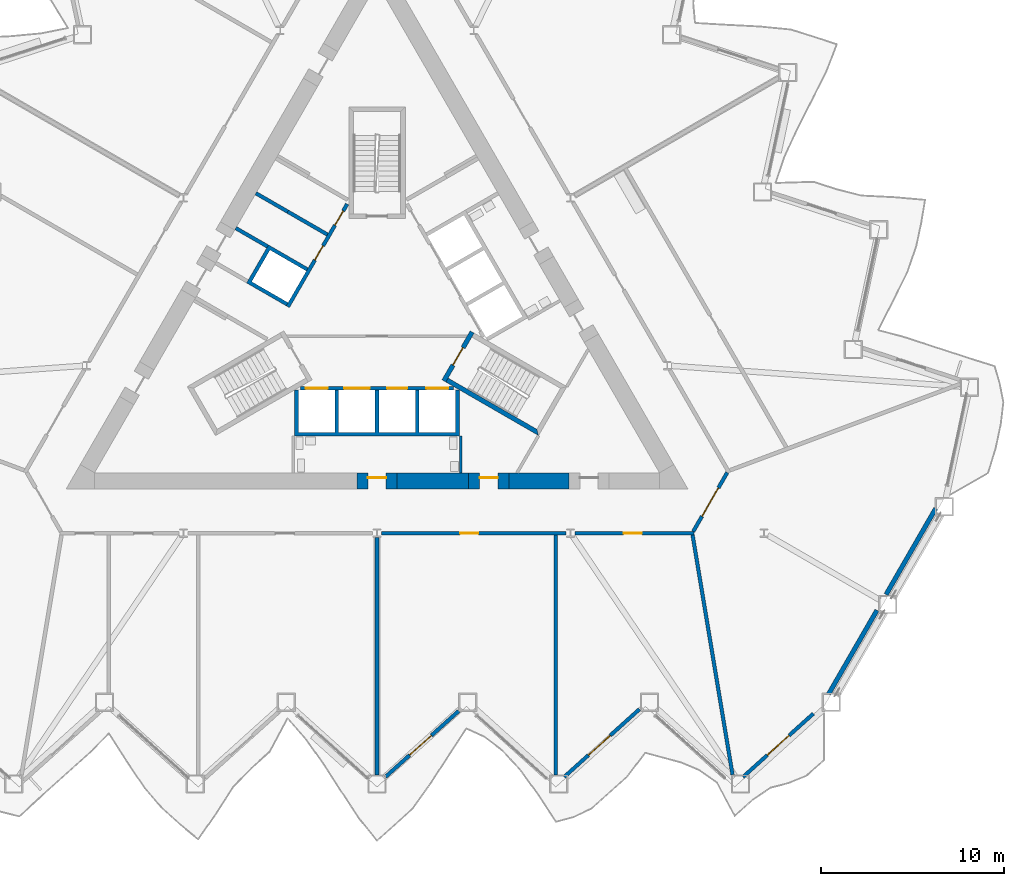
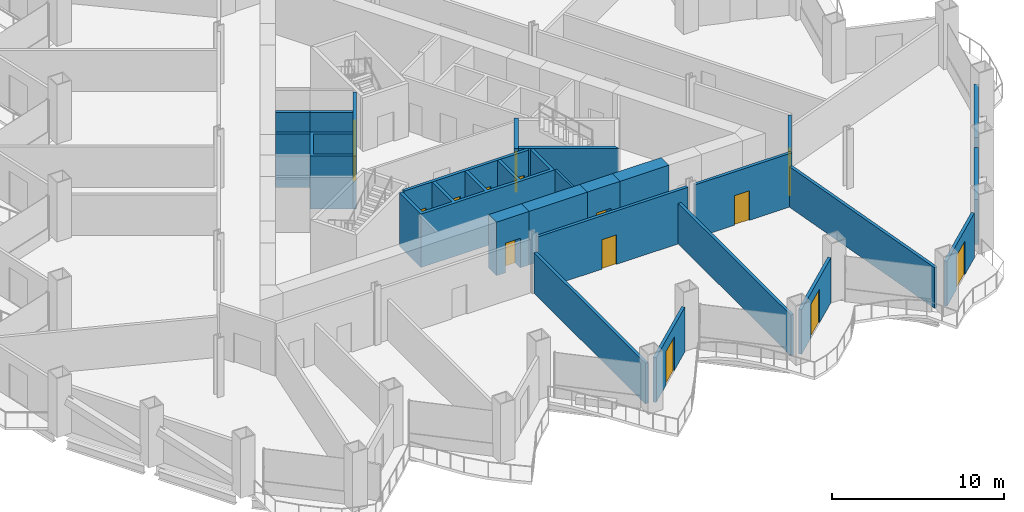
# One storey, part 10 of 20: 25 walls, 15 doors, 15 openings.
"""IFC4 building model written with IfcOpenShell, lengths in metres."""

from ifc_helpers import new_model, si_unit, direction, frame, frame_2d, origin, place, context, subcontext, project, spatial, polyline, rectangle, outline, extrude, material, layer, layer_set, type_object, element, fill, save


model = new_model("IFC4")

# Units and contexts
model_context = context("Model", 3, precision=1e-05, world=origin(), true_north=direction((0.0, 1.0)))
body_context = subcontext(model_context, "Body", "Model", "MODEL_VIEW")
ifc_project = project(units=[si_unit("LENGTHUNIT", "METRE"), si_unit("AREAUNIT", "SQUARE_METRE"), si_unit("VOLUMEUNIT", "CUBIC_METRE"), si_unit("PLANEANGLEUNIT", "RADIAN"), si_unit("MASSUNIT", "GRAM", prefix="KILO")], contexts=[model_context])

# Site, building, storey
site_placement = place(None, origin())
site = spatial("IfcSite", under=ifc_project, at=site_placement, CompositionType="ELEMENT")
building_placement = place(site_placement, origin())
building = spatial("IfcBuilding", under=site, at=building_placement, Name="Cormorant Prow Tower", CompositionType="ELEMENT")
storey_placement = place(building_placement, frame((0.0, 0.0, 59.39990234375)))
storey = spatial("IfcBuildingStorey", under=building, at=storey_placement, Name="L12", CompositionType="ELEMENT", Elevation=59.39990234375)

# Walls
ifc_material_1 = material(Name="Gypsum board partition")
ifc_layer_1 = layer(ifc_material_1, 0.14990234375)
ifc_layer_set_1 = layer_set([ifc_layer_1], Name="Gypsum board partition")
wall_type_1 = type_object("IfcWallType", Name="Core partition 150", PredefinedType="PARTITIONING", material=ifc_layer_set_1)
wall_1_placement = place(storey_placement, frame((4.574951171875, -6.906005859375, 0.0), z_axis=(0.0, 0.0, 1.0), x_axis=(0.0, -1.0, 0.0)))
element("IfcWall", 1, at=wall_1_placement, inside=storey, type_object=wall_type_1, Name="Service room partition", PredefinedType="PARTITIONING", context=body_context, shape_type="SweptSolid", body=[
    extrude(rectangle(XDim=2.009033203125, YDim=0.14990234375, at=frame_2d((1.00439453125, 0.0))), origin(), (0.0, 0.0, 1.0), 3.800048828125),
])
ifc_material_2 = material(Name="Concrete 8000 psi", Category="concrete")
ifc_layer_2 = layer(ifc_material_2, 0.89990234375)
ifc_layer_set_2 = layer_set([ifc_layer_2], Name="Concrete 8000 psi")
wall_type_2 = type_object("IfcWallType", Name="Core shear wall 900", PredefinedType="SHEAR", material=ifc_layer_set_2)
wall_2_placement = place(storey_placement, frame((1.10009765625, -9.364990234375, 0.0), z_axis=(0.0, 0.0, 1.0), x_axis=(1.0, 0.0, 0.0)))
element("IfcWall", 2, at=wall_2_placement, inside=storey, type_object=wall_type_2, Name="Core wall", PredefinedType="SHEAR", context=body_context, shape_type="SweptSolid", body=[
    extrude(rectangle(XDim=3.908935546875, YDim=0.89990234375, at=frame_2d((1.95458984375, 0.0))), origin(), (0.0, 0.0, 1.0), 3.800048828125),
])
wall_3_placement = place(storey_placement, frame((7.208984375, -9.364990234375, 0.0), z_axis=(0.0, 0.0, 1.0), x_axis=(1.0, 0.0, 0.0)))
element("IfcWall", 3, at=wall_3_placement, inside=storey, type_object=wall_type_2, Name="Core wall", PredefinedType="SHEAR", context=body_context, shape_type="SweptSolid", body=[
    extrude(rectangle(XDim=3.282470703125, YDim=0.89990234375, at=frame_2d((1.64111328125, 0.0))), origin(), (0.0, 0.0, 1.0), 3.800048828125),
])

# Wall, opening, door
wall_4_placement = place(storey_placement, frame((-1.10009765625, -9.364990234375, 0.0), z_axis=(0.0, 0.0, 1.0), x_axis=(1.0, 0.0, 0.0)))
wall_4 = element("IfcWall", 4, at=wall_4_placement, inside=storey, type_object=wall_type_2, Name="Core wall door panel", PredefinedType="SHEAR", context=body_context, shape_type="SweptSolid", body=[
    extrude(rectangle(XDim=2.2001953125, YDim=0.89990234375, at=frame_2d((1.10009765625, 0.0))), origin(), (0.0, 0.0, 1.0), 3.800048828125),
])
opening_1_placement = place(wall_4_placement, frame((0.60009765625, 0.0, 0.0)))
opening_1 = element("IfcOpeningElement", 5, at=opening_1_placement, cuts=wall_4, Name="Opening L12-C15", PredefinedType="OPENING", context=body_context, shape_type="SweptSolid", body=[
    extrude(rectangle(XDim=1.0, YDim=2.10009765625, at=frame_2d((0.5, 1.050048828125))), frame((0.0, 0.4599609375, 0.0), z_axis=(0.0, -1.0, 0.0), x_axis=(1.0, 0.0, 0.0)), (0.0, 0.0, 1.0), 0.919921875),
])
ifc_material_3 = material(Name="Painted steel", Category="steel")
door_type_1 = type_object("IfcDoorType", Name="Service door 1000x2100", OperationType="NOTDEFINED", PredefinedType="DOOR", material=ifc_material_3)
door_1_placement = place(opening_1_placement, origin())
door_1 = element("IfcDoor", 6, at=door_1_placement, inside=storey, type_object=door_type_1, Name="Core door, Toilets (women) L12", OperationType="SINGLE_SWING_LEFT", OverallHeight=2.10009765625, OverallWidth=1.0, PredefinedType="DOOR", context=body_context, shape_type="SweptSolid", body=[
    extrude(rectangle(XDim=1.0, YDim=2.10009765625, at=frame_2d((0.5, 1.050048828125))), frame((0.0, 0.205078125, 0.0), z_axis=(0.0, -1.0, 0.0), x_axis=(1.0, 0.0, 0.0)), (0.0, 0.0, 1.0), 0.050048828125),
])
fill(opening_1, door_1)

wall_5_placement = place(storey_placement, frame((5.009033203125, -9.364990234375, 0.0), z_axis=(0.0, 0.0, 1.0), x_axis=(1.0, 0.0, 0.0)))
wall_5 = element("IfcWall", 7, at=wall_5_placement, inside=storey, type_object=wall_type_2, Name="Core wall door panel", PredefinedType="SHEAR", context=body_context, shape_type="SweptSolid", body=[
    extrude(rectangle(XDim=2.199951171875, YDim=0.89990234375, at=frame_2d((1.10009765625, 0.0))), origin(), (0.0, 0.0, 1.0), 3.800048828125),
])
opening_2_placement = place(wall_5_placement, frame((0.60009765625, 0.0, 0.0)))
opening_2 = element("IfcOpeningElement", 8, at=opening_2_placement, cuts=wall_5, Name="Opening L12-C22", PredefinedType="OPENING", context=body_context, shape_type="SweptSolid", body=[
    extrude(rectangle(XDim=1.0, YDim=2.10009765625, at=frame_2d((0.5, 1.050048828125))), frame((0.0, 0.4599609375, 0.0), z_axis=(0.0, -1.0, 0.0), x_axis=(1.0, 0.0, 0.0)), (0.0, 0.0, 1.0), 0.919921875),
])
door_2_placement = place(opening_2_placement, origin())
door_2 = element("IfcDoor", 9, at=door_2_placement, inside=storey, type_object=door_type_1, Name="Core door, Mechanical riser room", OperationType="SINGLE_SWING_LEFT", OverallHeight=2.10009765625, OverallWidth=1.0, PredefinedType="DOOR", context=body_context, shape_type="SweptSolid", body=[
    extrude(rectangle(XDim=1.0, YDim=2.10009765625, at=frame_2d((0.5, 1.050048828125))), frame((0.0, 0.205078125, 0.0), z_axis=(0.0, -1.0, 0.0), x_axis=(1.0, 0.0, 0.0)), (0.0, 0.0, 1.0), 0.050048828125),
])
fill(opening_2, door_2)

ifc_material_4 = material(Name="Gypsum board corridor wall")
ifc_layer_3 = layer(ifc_material_4, 0.199951171875)
ifc_layer_set_3 = layer_set([ifc_layer_3], Name="Gypsum board corridor wall")
wall_type_3 = type_object("IfcWallType", Name="Corridor wall 200", PredefinedType="PARTITIONING", material=ifc_layer_set_3)
wall_6_placement = place(storey_placement, frame((0.2421875, -12.215087890625, 0.0), z_axis=(0.0, 0.0, 1.0), x_axis=(1.0, 0.0, 0.0)))
wall_6 = element("IfcWall", 10, at=wall_6_placement, inside=storey, type_object=wall_type_3, Name="Corridor wall", PredefinedType="PARTITIONING", context=body_context, shape_type="SweptSolid", body=[
    extrude(rectangle(XDim=10.093994140625, YDim=0.199951171875, at=frame_2d((5.046875, 0.0))), origin(), (0.0, 0.0, 1.0), 3.800048828125),
])
opening_3_placement = place(wall_6_placement, frame((4.294189453125, 0.0, 0.0)))
opening_3 = element("IfcOpeningElement", 11, at=opening_3_placement, cuts=wall_6, Name="Opening L12-F04", PredefinedType="OPENING", context=body_context, shape_type="SweptSolid", body=[
    extrude(rectangle(XDim=1.0, YDim=2.10009765625, at=frame_2d((0.5, 1.050048828125))), frame((0.0, 0.10986328125, 0.0), z_axis=(0.0, -1.0, 0.0), x_axis=(1.0, 0.0, 0.0)), (0.0, 0.0, 1.0), 0.219970703125),
])
ifc_material_5 = material(Name="Timber door leaf", Category="wood")
door_type_2 = type_object("IfcDoorType", Name="Office door 1000x2100", OperationType="NOTDEFINED", PredefinedType="DOOR", material=ifc_material_5)
door_3_placement = place(opening_3_placement, origin())
door_3 = element("IfcDoor", 12, at=door_3_placement, inside=storey, type_object=door_type_2, Name="Open-plan office door", OperationType="SINGLE_SWING_RIGHT", OverallHeight=2.10009765625, OverallWidth=1.0, PredefinedType="DOOR", context=body_context, shape_type="SweptSolid", body=[
    extrude(rectangle(XDim=1.0, YDim=2.10009765625, at=frame_2d((0.5, 1.050048828125))), frame((0.0, 0.02490234375, 0.0), z_axis=(0.0, -1.0, 0.0), x_axis=(1.0, 0.0, 0.0)), (0.0, 0.0, 1.0), 0.050048828125),
])
fill(opening_3, door_3)

wall_7_placement = place(storey_placement, frame((10.82080078125, -12.215087890625, 0.0), z_axis=(0.0, 0.0, 1.0), x_axis=(1.0, 0.0, 0.0)))
wall_7 = element("IfcWall", 13, at=wall_7_placement, inside=storey, type_object=wall_type_3, Name="Corridor wall", PredefinedType="PARTITIONING", context=body_context, shape_type="SweptSolid", body=[
    extrude(rectangle(XDim=6.510009765625, YDim=0.199951171875, at=frame_2d((3.2548828125, 0.0))), origin(), (0.0, 0.0, 1.0), 3.800048828125),
])
opening_4_placement = place(wall_7_placement, frame((2.65478515625, 0.0, 0.0)))
opening_4 = element("IfcOpeningElement", 14, at=opening_4_placement, cuts=wall_7, Name="Opening L12-F05", PredefinedType="OPENING", context=body_context, shape_type="SweptSolid", body=[
    extrude(rectangle(XDim=1.0, YDim=2.10009765625, at=frame_2d((0.5, 1.050048828125))), frame((0.0, 0.10986328125, 0.0), z_axis=(0.0, -1.0, 0.0), x_axis=(1.0, 0.0, 0.0)), (0.0, 0.0, 1.0), 0.219970703125),
])
door_4_placement = place(opening_4_placement, origin())
door_4 = element("IfcDoor", 15, at=door_4_placement, inside=storey, type_object=door_type_2, Name="Tenant suite door", OperationType="SINGLE_SWING_RIGHT", OverallHeight=2.10009765625, OverallWidth=1.0, PredefinedType="DOOR", context=body_context, shape_type="SweptSolid", body=[
    extrude(rectangle(XDim=1.0, YDim=2.10009765625, at=frame_2d((0.5, 1.050048828125))), frame((0.0, 0.02490234375, 0.0), z_axis=(0.0, -1.0, 0.0), x_axis=(1.0, 0.0, 0.0)), (0.0, 0.0, 1.0), 0.050048828125),
])
fill(opening_4, door_4)

wall_8_placement = place(storey_placement, frame((17.281005859375, -12.12841796875, 0.0), z_axis=(0.0, 0.0, 1.0), x_axis=(0.499958791762, 0.866049194065, 0.0)))
wall_8 = element("IfcWall", 16, at=wall_8_placement, inside=storey, type_object=wall_type_3, Name="Corridor wall", PredefinedType="PARTITIONING", context=body_context, shape_type="SweptSolid", body=[
    extrude(rectangle(XDim=3.725830078125, YDim=0.199951171875, at=frame_2d((1.86279296875, 0.0))), origin(), (0.0, 0.0, 1.0), 3.800048828125),
])
opening_5_placement = place(wall_8_placement, frame((0.962890625, 0.0, 0.0)))
opening_5 = element("IfcOpeningElement", 17, at=opening_5_placement, cuts=wall_8, Name="Opening L12-F06", PredefinedType="OPENING", context=body_context, shape_type="SweptSolid", body=[
    extrude(rectangle(XDim=1.800048828125, YDim=2.10009765625, at=frame_2d((0.89990234375, 1.050048828125))), frame((0.0, 0.10986328125, 0.0), z_axis=(0.0, -1.0, 0.0), x_axis=(1.0, 0.0, 0.0)), (0.0, 0.0, 1.0), 0.219970703125),
])
ifc_material_6 = material(Name="Timber door leaf", Category="wood")
door_type_3 = type_object("IfcDoorType", Name="Double door 1800x2100", OperationType="DOUBLE_DOOR_SINGLE_SWING", PredefinedType="DOOR", material=ifc_material_6)
door_5_placement = place(opening_5_placement, origin())
door_5 = element("IfcDoor", 18, at=door_5_placement, inside=storey, type_object=door_type_3, Name="Open-plan office door", OperationType="DOUBLE_DOOR_SINGLE_SWING", OverallHeight=2.10009765625, OverallWidth=1.800048828125, PredefinedType="DOOR", context=body_context, shape_type="SweptSolid", body=[
    extrude(rectangle(XDim=1.800048828125, YDim=2.10009765625, at=frame_2d((0.89990234375, 1.050048828125))), frame((0.0, 0.02490234375, 0.0), z_axis=(0.0, -1.0, 0.0), x_axis=(1.0, 0.0, 0.0)), (0.0, 0.0, 1.0), 0.050048828125),
])
fill(opening_5, door_5)

# Walls
ifc_material_7 = material(Name="Gypsum board demising wall")
ifc_layer_4 = layer(ifc_material_7, 0.199951171875)
ifc_layer_set_4 = layer_set([ifc_layer_4], Name="Gypsum board demising wall")
wall_type_4 = type_object("IfcWallType", Name="Demising wall 200", PredefinedType="PARTITIONING", material=ifc_layer_set_4)
wall_9_placement = place(storey_placement, frame((17.247314453125, -12.313720703125, 0.0), z_axis=(0.0, 0.0, 1.0), x_axis=(0.164396008001, -0.986394420378, 0.0)))
element("IfcWall", 19, at=wall_9_placement, inside=storey, type_object=wall_type_4, Name="Demising wall", PredefinedType="PARTITIONING", context=body_context, shape_type="SweptSolid", body=[
    extrude(rectangle(XDim=13.28857421875, YDim=0.199951171875, at=frame_2d((6.644287109375, 0.0))), origin(), (0.0, 0.0, 1.0), 2.885498046875),
])
wall_10_placement = place(storey_placement, frame((9.775390625, -25.42138671875, 0.0), z_axis=(0.0, 0.0, 1.0), x_axis=(0.0, 1.0, 0.0)))
element("IfcWall", 20, at=wall_10_placement, inside=storey, type_object=wall_type_4, Name="Demising wall", PredefinedType="PARTITIONING", context=body_context, shape_type="SweptSolid", body=[
    extrude(rectangle(XDim=13.1064453125, YDim=0.199951171875, at=frame_2d((6.55322265625, 0.0))), origin(), (0.0, 0.0, 1.0), 2.885498046875),
])
wall_11_placement = place(storey_placement, frame((0.0, -25.42138671875, 0.0), z_axis=(0.0, 0.0, 1.0), x_axis=(0.0, 1.0, 0.0)))
element("IfcWall", 21, at=wall_11_placement, inside=storey, type_object=wall_type_4, Name="Demising wall", PredefinedType="PARTITIONING", context=body_context, shape_type="SweptSolid", body=[
    extrude(rectangle(XDim=12.964111328125, YDim=0.199951171875, at=frame_2d((6.48193359375, 0.0))), origin(), (0.0, 0.0, 1.0), 2.885498046875),
])

# Wall, openings, doors
ifc_material_8 = material(Name="Concrete 5000 psi", Category="concrete")
ifc_layer_5 = layer(ifc_material_8, 0.199951171875)
ifc_layer_set_5 = layer_set([ifc_layer_5], Name="Concrete 5000 psi")
wall_type_5 = type_object("IfcWallType", Name="Lift lobby wall 200", PredefinedType="SOLIDWALL", material=ifc_layer_set_5)
wall_12_placement = place(storey_placement, frame((-4.1865234375, -4.300048828125, 0.0), z_axis=(0.0, 0.0, 1.0), x_axis=(1.0, 0.0, 0.0)))
wall_12 = element("IfcWall", 22, at=wall_12_placement, inside=storey, type_object=wall_type_5, Name="Lift lobby wall, S block", PredefinedType="SOLIDWALL", context=body_context, shape_type="SweptSolid", body=[
    extrude(rectangle(XDim=8.373046875, YDim=0.199951171875, at=frame_2d((4.1865234375, 0.0))), origin(), (0.0, 0.0, 1.0), 3.800048828125),
])
opening_6_placement = place(wall_12_placement, frame((0.28662109375, 0.0, 0.0)))
opening_6 = element("IfcOpeningElement", 23, at=opening_6_placement, cuts=wall_12, Name="Opening L12-C01", PredefinedType="OPENING", context=body_context, shape_type="SweptSolid", body=[
    extrude(rectangle(XDim=1.199951171875, YDim=2.10009765625, at=frame_2d((0.60009765625, 1.050048828125))), frame((0.0, 0.10986328125, 0.0), z_axis=(0.0, -1.0, 0.0), x_axis=(1.0, 0.0, 0.0)), (0.0, 0.0, 1.0), 0.219970703125),
])
opening_7_placement = place(wall_12_placement, frame((2.38671875, 0.0, 0.0)))
opening_7 = element("IfcOpeningElement", 24, at=opening_7_placement, cuts=wall_12, Name="Opening L12-C02", PredefinedType="OPENING", context=body_context, shape_type="SweptSolid", body=[
    extrude(rectangle(XDim=1.39990234375, YDim=2.10009765625, at=frame_2d((0.699951171875, 1.050048828125))), frame((0.0, 0.10986328125, 0.0), z_axis=(0.0, -1.0, 0.0), x_axis=(1.0, 0.0, 0.0)), (0.0, 0.0, 1.0), 0.219970703125),
])
opening_8_placement = place(wall_12_placement, frame((4.736572265625, 0.0, 0.0)))
opening_8 = element("IfcOpeningElement", 25, at=opening_8_placement, cuts=wall_12, Name="Opening L12-C03", PredefinedType="OPENING", context=body_context, shape_type="SweptSolid", body=[
    extrude(rectangle(XDim=1.10009765625, YDim=2.10009765625, at=frame_2d((0.550048828125, 1.050048828125))), frame((0.0, 0.10986328125, 0.0), z_axis=(0.0, -1.0, 0.0), x_axis=(1.0, 0.0, 0.0)), (0.0, 0.0, 1.0), 0.219970703125),
])
opening_9_placement = place(wall_12_placement, frame((6.88671875, 0.0, 0.0)))
opening_9 = element("IfcOpeningElement", 26, at=opening_9_placement, cuts=wall_12, Name="Opening L12-C04", PredefinedType="OPENING", context=body_context, shape_type="SweptSolid", body=[
    extrude(rectangle(XDim=1.199951171875, YDim=2.10009765625, at=frame_2d((0.60009765625, 1.050048828125))), frame((0.0, 0.10986328125, 0.0), z_axis=(0.0, -1.0, 0.0), x_axis=(1.0, 0.0, 0.0)), (0.0, 0.0, 1.0), 0.219970703125),
])
ifc_material_9 = material(Name="Painted steel", Category="steel")
door_type_4 = type_object("IfcDoorType", Name="Firefighting lift landing door 1200x2100", OperationType="SLIDING_TO_LEFT", PredefinedType="DOOR", material=ifc_material_9)
door_6_placement = place(opening_6_placement, origin())
door_6 = element("IfcDoor", 27, at=door_6_placement, inside=storey, type_object=door_type_4, Name="Landing door FL1", OperationType="SLIDING_TO_LEFT", OverallHeight=2.10009765625, OverallWidth=1.199951171875, PredefinedType="DOOR", context=body_context, shape_type="SweptSolid", body=[
    extrude(rectangle(XDim=1.199951171875, YDim=2.10009765625, at=frame_2d((0.60009765625, 1.050048828125))), frame((0.0, 0.02490234375, 0.0), z_axis=(0.0, -1.0, 0.0), x_axis=(1.0, 0.0, 0.0)), (0.0, 0.0, 1.0), 0.050048828125),
])
fill(opening_6, door_6)
door_7_placement = place(opening_9_placement, origin())
door_7 = element("IfcDoor", 28, at=door_7_placement, inside=storey, type_object=door_type_4, Name="Landing door FL2", OperationType="SLIDING_TO_LEFT", OverallHeight=2.10009765625, OverallWidth=1.199951171875, PredefinedType="DOOR", context=body_context, shape_type="SweptSolid", body=[
    extrude(rectangle(XDim=1.199951171875, YDim=2.10009765625, at=frame_2d((0.60009765625, 1.050048828125))), frame((0.0, 0.02490234375, 0.0), z_axis=(0.0, -1.0, 0.0), x_axis=(1.0, 0.0, 0.0)), (0.0, 0.0, 1.0), 0.050048828125),
])
fill(opening_9, door_7)
ifc_material_10 = material(Name="Painted steel", Category="steel")
door_type_5 = type_object("IfcDoorType", Name="Lift landing door 1100x2100", OperationType="SLIDING_TO_LEFT", PredefinedType="DOOR", material=ifc_material_10)
door_8_placement = place(opening_8_placement, origin())
door_8 = element("IfcDoor", 29, at=door_8_placement, inside=storey, type_object=door_type_5, Name="Landing door LR1", OperationType="SLIDING_TO_LEFT", OverallHeight=2.10009765625, OverallWidth=1.10009765625, PredefinedType="DOOR", context=body_context, shape_type="SweptSolid", body=[
    extrude(rectangle(XDim=1.10009765625, YDim=2.10009765625, at=frame_2d((0.550048828125, 1.050048828125))), frame((0.0, 0.02490234375, 0.0), z_axis=(0.0, -1.0, 0.0), x_axis=(1.0, 0.0, 0.0)), (0.0, 0.0, 1.0), 0.050048828125),
])
fill(opening_8, door_8)
ifc_material_11 = material(Name="Painted steel", Category="steel")
door_type_6 = type_object("IfcDoorType", Name="Service lift landing door 1400x2100", OperationType="SLIDING_TO_LEFT", PredefinedType="DOOR", material=ifc_material_11)
door_9_placement = place(opening_7_placement, origin())
door_9 = element("IfcDoor", 30, at=door_9_placement, inside=storey, type_object=door_type_6, Name="Landing door SL1", OperationType="SLIDING_TO_LEFT", OverallHeight=2.10009765625, OverallWidth=1.39990234375, PredefinedType="DOOR", context=body_context, shape_type="SweptSolid", body=[
    extrude(rectangle(XDim=1.39990234375, YDim=2.10009765625, at=frame_2d((0.699951171875, 1.050048828125))), frame((0.0, 0.02490234375, 0.0), z_axis=(0.0, -1.0, 0.0), x_axis=(1.0, 0.0, 0.0)), (0.0, 0.0, 1.0), 0.050048828125),
])
fill(opening_7, door_9)

wall_13_placement = place(storey_placement, frame((-1.630615234375, 5.775634765625, 0.0), z_axis=(0.0, 0.0, 1.0), x_axis=(-0.499992876559, -0.866029516466, 0.0)))
wall_13 = element("IfcWall", 31, at=wall_13_placement, inside=storey, type_object=wall_type_5, Name="Lift lobby wall, WNW block", PredefinedType="SOLIDWALL", context=body_context, shape_type="SweptSolid", body=[
    extrude(rectangle(XDim=6.486328125, YDim=0.199951171875, at=frame_2d((3.2431640625, 0.0))), origin(), (0.0, 0.0, 1.0), 3.800048828125),
])
opening_10_placement = place(wall_13_placement, frame((0.4365234375, 0.0, 0.0)))
opening_10 = element("IfcOpeningElement", 32, at=opening_10_placement, cuts=wall_13, Name="Opening L12-C09", PredefinedType="OPENING", context=body_context, shape_type="SweptSolid", body=[
    extrude(rectangle(XDim=0.89990234375, YDim=2.10009765625, at=frame_2d((0.449951171875, 1.050048828125))), frame((0.0, 0.10986328125, 0.0), z_axis=(0.0, -1.0, 0.0), x_axis=(1.0, 0.0, 0.0)), (0.0, 0.0, 1.0), 0.219970703125),
])
opening_11_placement = place(wall_13_placement, frame((2.63671875, 0.0, 0.0)))
opening_11 = element("IfcOpeningElement", 33, at=opening_11_placement, cuts=wall_13, Name="Opening L12-C10", PredefinedType="OPENING", context=body_context, shape_type="SweptSolid", body=[
    extrude(rectangle(XDim=0.89990234375, YDim=2.10009765625, at=frame_2d((0.449951171875, 1.050048828125))), frame((0.0, 0.10986328125, 0.0), z_axis=(0.0, -1.0, 0.0), x_axis=(1.0, 0.0, 0.0)), (0.0, 0.0, 1.0), 0.219970703125),
])
ifc_material_12 = material(Name="Painted steel", Category="steel")
door_type_7 = type_object("IfcDoorType", Name="Service door 900x2100", OperationType="NOTDEFINED", PredefinedType="DOOR", material=ifc_material_12)
door_10_placement = place(opening_10_placement, origin())
door_10 = element("IfcDoor", 34, at=door_10_placement, inside=storey, type_object=door_type_7, Name="Service door, Electrical room", OperationType="SINGLE_SWING_LEFT", OverallHeight=2.10009765625, OverallWidth=0.89990234375, PredefinedType="DOOR", context=body_context, shape_type="SweptSolid", body=[
    extrude(rectangle(XDim=0.89990234375, YDim=2.10009765625, at=frame_2d((0.449951171875, 1.050048828125))), frame((0.0, 0.02490234375, 0.0), z_axis=(0.0, -1.0, 0.0), x_axis=(1.0, 0.0, 0.0)), (0.0, 0.0, 1.0), 0.050048828125),
])
fill(opening_10, door_10)
door_11_placement = place(opening_11_placement, origin())
door_11 = element("IfcDoor", 35, at=door_11_placement, inside=storey, type_object=door_type_7, Name="Service door, Linen store", OperationType="SINGLE_SWING_RIGHT", OverallHeight=2.10009765625, OverallWidth=0.89990234375, PredefinedType="DOOR", context=body_context, shape_type="SweptSolid", body=[
    extrude(rectangle(XDim=0.89990234375, YDim=2.10009765625, at=frame_2d((0.449951171875, 1.050048828125))), frame((0.0, 0.02490234375, 0.0), z_axis=(0.0, -1.0, 0.0), x_axis=(1.0, 0.0, 0.0)), (0.0, 0.0, 1.0), 0.050048828125),
])
fill(opening_11, door_11)

# Walls
ifc_material_13 = material(Name="Concrete 8000 psi", Category="concrete")
ifc_layer_6 = layer(ifc_material_13, 0.199951171875)
ifc_layer_set_6 = layer_set([ifc_layer_6], Name="Concrete 8000 psi")
wall_type_6 = type_object("IfcWallType", Name="Lift shaft wall 200", PredefinedType="SHEAR", material=ifc_layer_set_6)
wall_14_placement = place(storey_placement, origin())
element("IfcWall", 36, at=wall_14_placement, inside=storey, type_object=wall_type_6, Name="Lift shaft walls, S block", PredefinedType="SHEAR", context=body_context, shape_type="SweptSolid", body=[
    extrude(outline(polyline([(4.5, -4.39990234375), (4.5, -6.906005859375), (-4.5, -6.906005859375), (-4.5, -4.39990234375), (-4.300048828125, -4.39990234375), (-4.300048828125, -6.699951171875), (-2.300048828125, -6.699951171875), (-2.300048828125, -4.39990234375), (-2.10009765625, -4.39990234375), (-2.10009765625, -6.699951171875), (-0.10009765625, -6.699951171875), (-0.10009765625, -4.39990234375), (0.10009765625, -4.39990234375), (0.10009765625, -6.699951171875), (2.10009765625, -6.699951171875), (2.10009765625, -4.39990234375), (2.300048828125, -4.39990234375), (2.300048828125, -6.699951171875), (4.300048828125, -6.699951171875), (4.300048828125, -4.39990234375), (4.5, -4.39990234375)])), origin(), (0.0, 0.0, 1.0), 3.800048828125),
])
wall_15_placement = place(storey_placement, origin())
element("IfcWall", 37, at=wall_15_placement, inside=storey, type_object=wall_type_6, Name="Lift shaft walls, WNW block", PredefinedType="SHEAR", context=body_context, shape_type="SweptSolid", body=[
    extrude(outline(polyline([(-4.96044921875, 0.2080078125), (-7.130859375, 1.461181640625), (-5.930908203125, 3.53955078125), (-3.760498046875, 2.28662109375), (-3.860595703125, 2.11328125), (-5.852294921875, 3.263427734375), (-6.852294921875, 1.53125), (-4.860595703125, 0.38134765625), (-4.96044921875, 0.2080078125)])), origin(), (0.0, 0.0, 1.0), 3.800048828125),
])
wall_16_placement = place(storey_placement, origin())
element("IfcWall", 38, at=wall_16_placement, inside=storey, type_object=wall_type_6, Name="Lift shaft walls, WNW block", PredefinedType="SHEAR", context=body_context, shape_type="SweptSolid", body=[
    extrude(outline(polyline([(-2.760498046875, 4.018798828125), (-4.930908203125, 5.271728515625), (-4.830810546875, 5.44482421875), (-2.660400390625, 4.19189453125), (-2.760498046875, 4.018798828125)])), origin(), (0.0, 0.0, 1.0), 3.800048828125),
])
wall_17_placement = place(storey_placement, frame((-4.880859375, 5.3583984375, 0.0), z_axis=(0.0, 0.0, 1.0), x_axis=(-0.866035824272, 0.499981950752, 0.0)))
element("IfcWall", 39, at=wall_17_placement, inside=storey, type_object=wall_type_6, Name="Store side wall", PredefinedType="SHEAR", context=body_context, shape_type="SweptSolid", body=[
    extrude(rectangle(XDim=2.0087890625, YDim=0.199951171875, at=frame_2d((1.00439453125, 0.0))), origin(), (0.0, 0.0, 1.0), 3.800048828125),
])
wall_18_placement = place(storey_placement, frame((-5.980712890625, 3.452880859375, 0.0), z_axis=(0.0, 0.0, 1.0), x_axis=(-0.866013584312, 0.500020471368, 0.0)))
element("IfcWall", 40, at=wall_18_placement, inside=storey, type_object=wall_type_6, Name="Store side wall", PredefinedType="SHEAR", context=body_context, shape_type="SweptSolid", body=[
    extrude(rectangle(XDim=2.00927734375, YDim=0.199951171875, at=frame_2d((1.004638671875, 0.0))), origin(), (0.0, 0.0, 1.0), 3.800048828125),
])
ifc_material_14 = material(Name="Concrete 8000 psi", Category="concrete")
ifc_layer_7 = layer(ifc_material_14, 0.25)
ifc_layer_set_7 = layer_set([ifc_layer_7], Name="Concrete 8000 psi")
wall_type_7 = type_object("IfcWallType", Name="Stair wall 250", PredefinedType="SHEAR", material=ifc_layer_set_7)
wall_19_placement = place(storey_placement, origin())
element("IfcWall", 41, at=wall_19_placement, inside=storey, type_object=wall_type_7, Name="Stair ST2 enclosure wall (flank)", PredefinedType="SHEAR", context=body_context, shape_type="SweptSolid", body=[
    extrude(outline(polyline([(3.76318359375, -3.95556640625), (8.82958984375, -6.880615234375), (8.738037109375, -6.5390625), (3.88818359375, -3.739013671875), (3.76318359375, -3.95556640625)])), origin(), (0.0, 0.0, 1.0), 3.800048828125),
])

# Wall, opening, door
wall_20_placement = place(storey_placement, frame((3.655029296875, -3.89306640625, 0.0), z_axis=(0.0, 0.0, 1.0), x_axis=(0.499982516597, 0.866035497597, 0.0)))
wall_20 = element("IfcWall", 42, at=wall_20_placement, inside=storey, type_object=wall_type_7, Name="Stair ST2 door wall", PredefinedType="SHEAR", context=body_context, shape_type="SweptSolid", body=[
    extrude(rectangle(XDim=3.087890625, YDim=0.25, at=frame_2d((1.5439453125, 0.0))), origin(), (0.0, 0.0, 1.0), 3.800048828125),
])
opening_12_placement = place(wall_20_placement, frame((0.993896484375, 0.0, 0.0)))
opening_12 = element("IfcOpeningElement", 43, at=opening_12_placement, cuts=wall_20, Name="Opening L12-C13", PredefinedType="OPENING", context=body_context, shape_type="SweptSolid", body=[
    extrude(rectangle(XDim=1.10009765625, YDim=2.10009765625, at=frame_2d((0.550048828125, 1.050048828125))), frame((0.0, 0.135009765625, 0.0), z_axis=(0.0, -1.0, 0.0), x_axis=(1.0, 0.0, 0.0)), (0.0, 0.0, 1.0), 0.27001953125),
])
ifc_material_15 = material(Name="Painted steel", Category="steel")
door_type_8 = type_object("IfcDoorType", Name="Stair door 1100x2100", OperationType="NOTDEFINED", PredefinedType="DOOR", material=ifc_material_15)
door_12_placement = place(opening_12_placement, origin())
door_12 = element("IfcDoor", 44, at=door_12_placement, inside=storey, type_object=door_type_8, Name="Stair ST2 door", OperationType="SINGLE_SWING_RIGHT", OverallHeight=2.10009765625, OverallWidth=1.10009765625, PredefinedType="DOOR", context=body_context, shape_type="SweptSolid", body=[
    extrude(rectangle(XDim=1.10009765625, YDim=2.10009765625, at=frame_2d((0.550048828125, 1.050048828125))), frame((0.0, 0.02490234375, 0.0), z_axis=(0.0, -1.0, 0.0), x_axis=(1.0, 0.0, 0.0)), (0.0, 0.0, 1.0), 0.050048828125),
])
fill(opening_12, door_12)

# Walls
ifc_material_16 = material(Name="Terracotta", Category="masonry")
ifc_layer_8 = layer(ifc_material_16, 0.25)
ifc_layer_set_8 = layer_set([ifc_layer_8], Name="Terracotta")
wall_type_8 = type_object("IfcWallType", Name="Terracotta bay wall 250", PredefinedType="SOLIDWALL", material=ifc_layer_set_8)
wall_21_placement = place(storey_placement, frame((24.68212890625, -21.0146484375, 0.0), z_axis=(0.0, 0.0, 1.0), x_axis=(0.500008603535, 0.866020436474, 0.0)))
element("IfcWall", 45, at=wall_21_placement, inside=storey, type_object=wall_type_8, Name="Terracotta bay wall ESE00", PredefinedType="SOLIDWALL", context=body_context, shape_type="SweptSolid", body=[
    extrude(rectangle(XDim=5.29296875, YDim=0.25, at=frame_2d((2.646484375, 0.0))), origin(), (0.0, 0.0, 1.0), 3.18896484375),
])
wall_22_placement = place(storey_placement, frame((27.827392578125, -15.56689453125, 0.0), z_axis=(0.0, 0.0, 1.0), x_axis=(0.499991204533, 0.86603048179, 0.0)))
element("IfcWall", 46, at=wall_22_placement, inside=storey, type_object=wall_type_8, Name="Terracotta bay wall ESE01", PredefinedType="SOLIDWALL", context=body_context, shape_type="SweptSolid", body=[
    extrude(rectangle(XDim=5.42578125, YDim=0.25, at=frame_2d((2.712890625, 0.0))), origin(), (0.0, 0.0, 1.0), 3.18896484375),
])

# Wall, opening, door
ifc_material_17 = material(Name="Terracotta", Category="masonry")
ifc_layer_9 = layer(ifc_material_17, 0.199951171875)
ifc_layer_set_9 = layer_set([ifc_layer_9], Name="Terracotta")
wall_type_9 = type_object("IfcWallType", Name="Terracotta jamb wall 200", PredefinedType="SOLIDWALL", material=ifc_layer_set_9)
wall_23_placement = place(storey_placement, frame((0.45556640625, -25.542236328125, 0.0), z_axis=(0.0, 0.0, 1.0), x_axis=(0.743143413551, 0.669132174459, 0.0)))
wall_23 = element("IfcWall", 47, at=wall_23_placement, inside=storey, type_object=wall_type_9, Name="Terracotta jamb wall S05", PredefinedType="SOLIDWALL", context=body_context, shape_type="SweptSolid", body=[
    extrude(rectangle(XDim=5.396728515625, YDim=0.199951171875, at=frame_2d((2.6982421875, 0.0))), origin(), (0.0, 0.0, 1.0), 3.18896484375),
])
opening_13_placement = place(wall_23_placement, frame((1.78564453125, 0.0, 0.0)))
opening_13 = element("IfcOpeningElement", 48, at=opening_13_placement, cuts=wall_23, Name="Opening ED12.03", PredefinedType="OPENING", context=body_context, shape_type="SweptSolid", body=[
    extrude(rectangle(XDim=1.60009765625, YDim=2.39990234375, at=frame_2d((0.800048828125, 1.199951171875))), frame((0.0, 0.10986328125, 0.0), z_axis=(0.0, -1.0, 0.0), x_axis=(1.0, 0.0, 0.0)), (0.0, 0.0, 1.0), 0.219970703125),
])
ifc_material_18 = material(Name="Aluminium 6063-T6", Category="aluminium")
door_type_9 = type_object("IfcDoorType", Name="Balcony door 1600x2400", OperationType="DOUBLE_DOOR_SINGLE_SWING", PredefinedType="DOOR", material=ifc_material_18)
door_13_placement = place(opening_13_placement, origin())
door_13 = element("IfcDoor", 49, at=door_13_placement, inside=storey, type_object=door_type_9, Name="Balcony door S05 ED12.03", OperationType="DOUBLE_DOOR_SINGLE_SWING", OverallHeight=2.39990234375, OverallWidth=1.60009765625, PredefinedType="DOOR", context=body_context, shape_type="SweptSolid", body=[
    extrude(rectangle(XDim=1.60009765625, YDim=2.39990234375, at=frame_2d((0.800048828125, 1.199951171875))), frame((0.0, 0.02490234375, 0.0), z_axis=(0.0, -1.0, 0.0), x_axis=(1.0, 0.0, 0.0)), (0.0, 0.0, 1.0), 0.050048828125),
])
fill(opening_13, door_13)

wall_24_placement = place(storey_placement, frame((10.23095703125, -25.542236328125, 0.0), z_axis=(0.0, 0.0, 1.0), x_axis=(0.743162549077, 0.669110921783, 0.0)))
wall_24 = element("IfcWall", 50, at=wall_24_placement, inside=storey, type_object=wall_type_9, Name="Terracotta jamb wall S07", PredefinedType="SOLIDWALL", context=body_context, shape_type="SweptSolid", body=[
    extrude(rectangle(XDim=5.535400390625, YDim=0.199951171875, at=frame_2d((2.767578125, 0.0))), origin(), (0.0, 0.0, 1.0), 3.18896484375),
])
opening_14_placement = place(wall_24_placement, frame((1.78564453125, 0.0, 0.0)))
opening_14 = element("IfcOpeningElement", 51, at=opening_14_placement, cuts=wall_24, Name="Opening ED12.04", PredefinedType="OPENING", context=body_context, shape_type="SweptSolid", body=[
    extrude(rectangle(XDim=1.60009765625, YDim=2.39990234375, at=frame_2d((0.800048828125, 1.199951171875))), frame((0.0, 0.10986328125, 0.0), z_axis=(0.0, -1.0, 0.0), x_axis=(1.0, 0.0, 0.0)), (0.0, 0.0, 1.0), 0.219970703125),
])
door_14_placement = place(opening_14_placement, origin())
door_14 = element("IfcDoor", 52, at=door_14_placement, inside=storey, type_object=door_type_9, Name="Balcony door S07 ED12.04", OperationType="DOUBLE_DOOR_SINGLE_SWING", OverallHeight=2.39990234375, OverallWidth=1.60009765625, PredefinedType="DOOR", context=body_context, shape_type="SweptSolid", body=[
    extrude(rectangle(XDim=1.60009765625, YDim=2.39990234375, at=frame_2d((0.800048828125, 1.199951171875))), frame((0.0, 0.02490234375, 0.0), z_axis=(0.0, -1.0, 0.0), x_axis=(1.0, 0.0, 0.0)), (0.0, 0.0, 1.0), 0.050048828125),
])
fill(opening_14, door_14)

wall_25_placement = place(storey_placement, frame((20.006591796875, -25.542236328125, 0.0), z_axis=(0.0, 0.0, 1.0), x_axis=(0.743150930715, 0.669123825743, 0.0)))
wall_25 = element("IfcWall", 53, at=wall_25_placement, inside=storey, type_object=wall_type_9, Name="Terracotta jamb wall S09", PredefinedType="SOLIDWALL", context=body_context, shape_type="SweptSolid", body=[
    extrude(rectangle(XDim=5.171142578125, YDim=0.199951171875, at=frame_2d((2.58544921875, 0.0))), origin(), (0.0, 0.0, 1.0), 3.18896484375),
])
opening_15_placement = place(wall_25_placement, frame((1.78564453125, 0.0, 0.0)))
opening_15 = element("IfcOpeningElement", 54, at=opening_15_placement, cuts=wall_25, Name="Opening ED12.05", PredefinedType="OPENING", context=body_context, shape_type="SweptSolid", body=[
    extrude(rectangle(XDim=1.60009765625, YDim=2.39990234375, at=frame_2d((0.800048828125, 1.199951171875))), frame((0.0, 0.10986328125, 0.0), z_axis=(0.0, -1.0, 0.0), x_axis=(1.0, 0.0, 0.0)), (0.0, 0.0, 1.0), 0.219970703125),
])
door_15_placement = place(opening_15_placement, origin())
door_15 = element("IfcDoor", 55, at=door_15_placement, inside=storey, type_object=door_type_9, Name="Balcony door S09 ED12.05", OperationType="DOUBLE_DOOR_SINGLE_SWING", OverallHeight=2.39990234375, OverallWidth=1.60009765625, PredefinedType="DOOR", context=body_context, shape_type="SweptSolid", body=[
    extrude(rectangle(XDim=1.60009765625, YDim=2.39990234375, at=frame_2d((0.800048828125, 1.199951171875))), frame((0.0, 0.02490234375, 0.0), z_axis=(0.0, -1.0, 0.0), x_axis=(1.0, 0.0, 0.0)), (0.0, 0.0, 1.0), 0.050048828125),
])
fill(opening_15, door_15)

save(model, "model.ifc")
